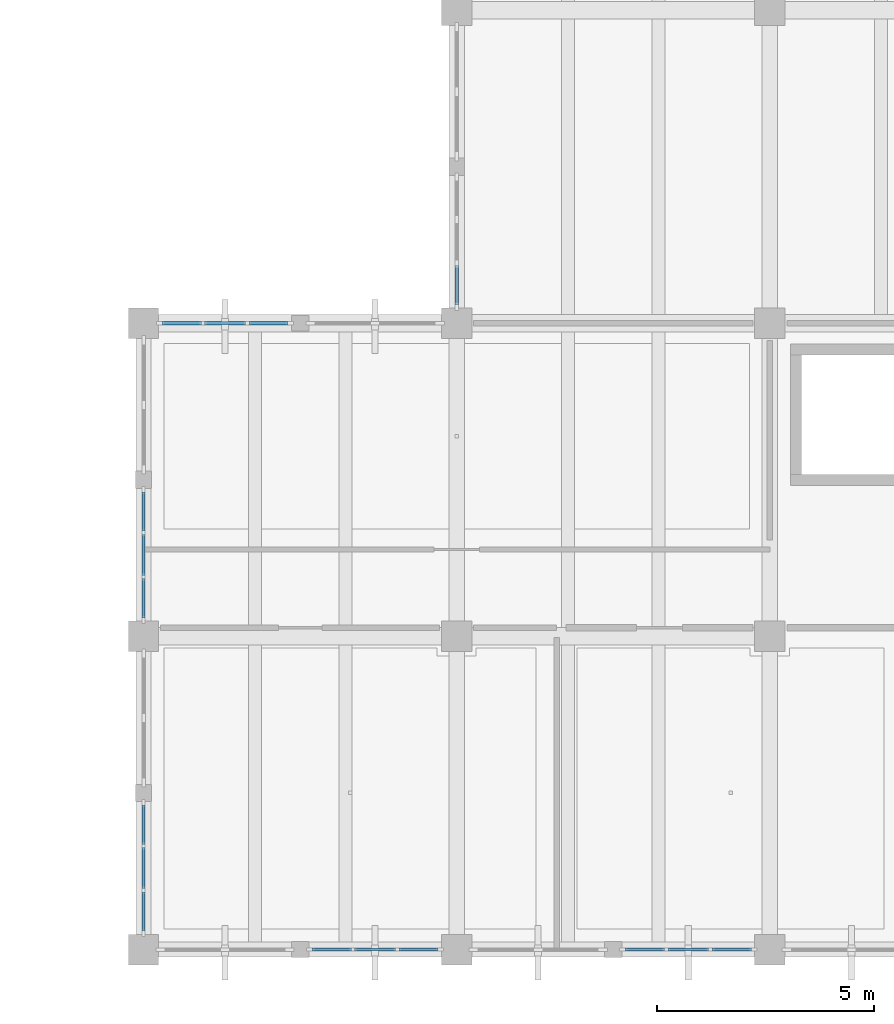
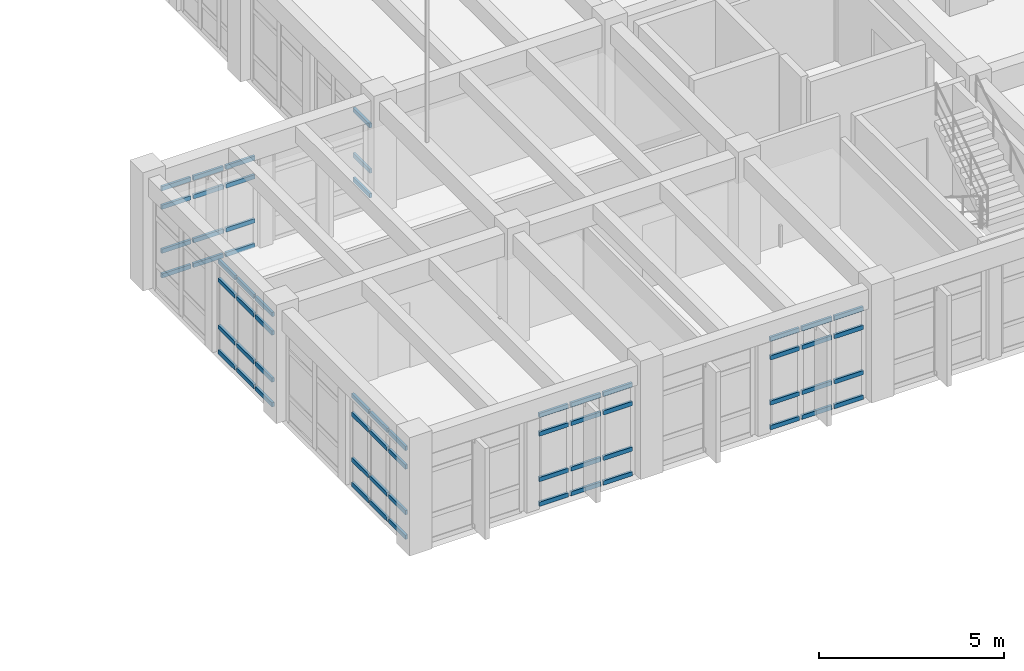
# One storey, part 18 of 54: 63 members, 6 elements without a shape of their own.
"""IFC4 building model written with IfcOpenShell, lengths in metres."""

from ifc_helpers import new_model, si_unit, direction, frame, origin, origin_2d, place, context, subcontext, project, spatial, rectangle, extrude, material, layer, layer_set, material_profile, profile_set, type_object, element, aggregate, save


model = new_model("IFC4")

# Units and contexts
model_context = context("Model", 3, precision=1e-05, world=origin(), true_north=direction((0.0, 1.0)))
body_context = subcontext(model_context, "Body", "Model", "MODEL_VIEW")
ifc_project = project(units=[si_unit("LENGTHUNIT", "METRE"), si_unit("AREAUNIT", "SQUARE_METRE"), si_unit("VOLUMEUNIT", "CUBIC_METRE"), si_unit("PLANEANGLEUNIT", "RADIAN"), si_unit("MASSUNIT", "GRAM", prefix="KILO")], contexts=[model_context])

# Site, building, storey
site_placement = place(None, origin())
site = spatial("IfcSite", under=ifc_project, at=site_placement, CompositionType="ELEMENT")
building_placement = place(site_placement, origin())
building = spatial("IfcBuilding", under=site, at=building_placement, Name="Koriwan Promenade Central Fire Station", CompositionType="ELEMENT")
storey_placement = place(building_placement, frame((0.0, 0.0, 9.60009765625)))
storey = spatial("IfcBuildingStorey", under=building, at=storey_placement, Name="L02", CompositionType="ELEMENT", Elevation=9.60009765625)

# Curtain wall, members
ifc_material_1 = material(Name="Aluminium EN AW-6063-T6 and low-E glazing", Category="aluminium")
ifc_layer_1 = layer(ifc_material_1, 0.159912109375, Name="Aluminium EN AW-6063-T6 and low-E glazing")
ifc_layer_set_1 = layer_set([ifc_layer_1], Name="Aluminium EN AW-6063-T6 and low-E glazing")
curtain_wall_type_1 = type_object("IfcCurtainWallType", Name="CurtainWall_73_305x299", PredefinedType="USERDEFINED", material=ifc_layer_set_1)
curtain_wall_1_placement = place(storey_placement, origin())
curtain_wall_1 = element("IfcCurtainWall", 1, at=curtain_wall_1_placement, inside=storey, type_object=curtain_wall_type_1, Name="V5 L02 unitised curtain wall 213", ObjectType="UNITISED CURTAIN WALL", PredefinedType="USERDEFINED")
ifc_material_2 = material(Name="Aluminium EN AW-6063-T6", Category="aluminium")
ifc_material_profile = material_profile(ifc_material_2, rectangle(XDim=0.074951171875, YDim=0.139892578125, at=origin_2d()), Name="ALU-TRN-75x140")
ifc_profile_set = profile_set([ifc_material_profile], Name="Aluminium EN AW-6063-T6")
member_type = type_object("IfcMemberType", Name="CWTransom_ALU-TRN-75x140", PredefinedType="USERDEFINED", material=ifc_profile_set)
member_1_placement = place(storey_placement, frame((157.97509765625, 0.0, 0.037353515625), z_axis=(-1.0, 0.0, 0.0), x_axis=(0.0, -1.0, 0.0)))
member_1 = element("IfcMember", 2, at=member_1_placement, type_object=member_type, Name="CW-73 transom 1.1", ObjectType="TRANSOM", PredefinedType="USERDEFINED", context=body_context, shape_type="SweptSolid", body=[
    extrude(rectangle(XDim=0.074951171875, YDim=0.139892578125, at=origin_2d()), origin(), (0.0, 0.0, 1.0), 0.904296875),
])
member_2_placement = place(storey_placement, frame((157.97509765625, 0.0, 0.849853515625), z_axis=(-1.0, 0.0, 0.0), x_axis=(0.0, -1.0, 0.0)))
member_2 = element("IfcMember", 3, at=member_2_placement, type_object=member_type, Name="CW-73 transom 1.2", ObjectType="TRANSOM", PredefinedType="USERDEFINED", context=body_context, shape_type="SweptSolid", body=[
    extrude(rectangle(XDim=0.074951171875, YDim=0.139892578125, at=origin_2d()), origin(), (0.0, 0.0, 1.0), 0.904296875),
])
member_3_placement = place(storey_placement, frame((157.97509765625, 0.0, 2.33984375), z_axis=(-1.0, 0.0, 0.0), x_axis=(0.0, -1.0, 0.0)))
member_3 = element("IfcMember", 4, at=member_3_placement, type_object=member_type, Name="CW-73 transom 1.3", ObjectType="TRANSOM", PredefinedType="USERDEFINED", context=body_context, shape_type="SweptSolid", body=[
    extrude(rectangle(XDim=0.074951171875, YDim=0.139892578125, at=origin_2d()), origin(), (0.0, 0.0, 1.0), 0.904296875),
])
member_4_placement = place(storey_placement, frame((157.97509765625, 0.0, 2.952392578125), z_axis=(-1.0, 0.0, 0.0), x_axis=(0.0, -1.0, 0.0)))
member_4 = element("IfcMember", 5, at=member_4_placement, type_object=member_type, Name="CW-73 transom 1.4", ObjectType="TRANSOM", PredefinedType="USERDEFINED", context=body_context, shape_type="SweptSolid", body=[
    extrude(rectangle(XDim=0.074951171875, YDim=0.139892578125, at=origin_2d()), origin(), (0.0, 0.0, 1.0), 0.904296875),
])
member_5_placement = place(storey_placement, frame((156.995849609375, 0.0, 0.037353515625), z_axis=(-1.0, 0.0, 0.0), x_axis=(0.0, -1.0, 0.0)))
member_5 = element("IfcMember", 6, at=member_5_placement, type_object=member_type, Name="CW-73 transom 2.1", ObjectType="TRANSOM", PredefinedType="USERDEFINED", context=body_context, shape_type="SweptSolid", body=[
    extrude(rectangle(XDim=0.074951171875, YDim=0.139892578125, at=origin_2d()), origin(), (0.0, 0.0, 1.0), 0.941650390625),
])
member_6_placement = place(storey_placement, frame((156.995849609375, 0.0, 0.849853515625), z_axis=(-1.0, 0.0, 0.0), x_axis=(0.0, -1.0, 0.0)))
member_6 = element("IfcMember", 7, at=member_6_placement, type_object=member_type, Name="CW-73 transom 2.2", ObjectType="TRANSOM", PredefinedType="USERDEFINED", context=body_context, shape_type="SweptSolid", body=[
    extrude(rectangle(XDim=0.074951171875, YDim=0.139892578125, at=origin_2d()), origin(), (0.0, 0.0, 1.0), 0.941650390625),
])
member_7_placement = place(storey_placement, frame((156.995849609375, 0.0, 2.33984375), z_axis=(-1.0, 0.0, 0.0), x_axis=(0.0, -1.0, 0.0)))
member_7 = element("IfcMember", 8, at=member_7_placement, type_object=member_type, Name="CW-73 transom 2.3", ObjectType="TRANSOM", PredefinedType="USERDEFINED", context=body_context, shape_type="SweptSolid", body=[
    extrude(rectangle(XDim=0.074951171875, YDim=0.139892578125, at=origin_2d()), origin(), (0.0, 0.0, 1.0), 0.941650390625),
])
member_8_placement = place(storey_placement, frame((156.995849609375, 0.0, 2.952392578125), z_axis=(-1.0, 0.0, 0.0), x_axis=(0.0, -1.0, 0.0)))
member_8 = element("IfcMember", 9, at=member_8_placement, type_object=member_type, Name="CW-73 transom 2.4", ObjectType="TRANSOM", PredefinedType="USERDEFINED", context=body_context, shape_type="SweptSolid", body=[
    extrude(rectangle(XDim=0.074951171875, YDim=0.139892578125, at=origin_2d()), origin(), (0.0, 0.0, 1.0), 0.941650390625),
])
member_9_placement = place(storey_placement, frame((155.979248046875, 0.0, 0.037353515625), z_axis=(-1.0, 0.0, 0.0), x_axis=(0.0, -1.0, 0.0)))
member_9 = element("IfcMember", 10, at=member_9_placement, type_object=member_type, Name="CW-73 transom 3.1", ObjectType="TRANSOM", PredefinedType="USERDEFINED", context=body_context, shape_type="SweptSolid", body=[
    extrude(rectangle(XDim=0.074951171875, YDim=0.139892578125, at=origin_2d()), origin(), (0.0, 0.0, 1.0), 0.904296875),
])
member_10_placement = place(storey_placement, frame((155.979248046875, 0.0, 0.849853515625), z_axis=(-1.0, 0.0, 0.0), x_axis=(0.0, -1.0, 0.0)))
member_10 = element("IfcMember", 11, at=member_10_placement, type_object=member_type, Name="CW-73 transom 3.2", ObjectType="TRANSOM", PredefinedType="USERDEFINED", context=body_context, shape_type="SweptSolid", body=[
    extrude(rectangle(XDim=0.074951171875, YDim=0.139892578125, at=origin_2d()), origin(), (0.0, 0.0, 1.0), 0.904296875),
])
member_11_placement = place(storey_placement, frame((155.979248046875, 0.0, 2.33984375), z_axis=(-1.0, 0.0, 0.0), x_axis=(0.0, -1.0, 0.0)))
member_11 = element("IfcMember", 12, at=member_11_placement, type_object=member_type, Name="CW-73 transom 3.3", ObjectType="TRANSOM", PredefinedType="USERDEFINED", context=body_context, shape_type="SweptSolid", body=[
    extrude(rectangle(XDim=0.074951171875, YDim=0.139892578125, at=origin_2d()), origin(), (0.0, 0.0, 1.0), 0.904296875),
])
member_12_placement = place(storey_placement, frame((155.979248046875, 0.0, 2.952392578125), z_axis=(-1.0, 0.0, 0.0), x_axis=(0.0, -1.0, 0.0)))
member_12 = element("IfcMember", 13, at=member_12_placement, type_object=member_type, Name="CW-73 transom 3.4", ObjectType="TRANSOM", PredefinedType="USERDEFINED", context=body_context, shape_type="SweptSolid", body=[
    extrude(rectangle(XDim=0.074951171875, YDim=0.139892578125, at=origin_2d()), origin(), (0.0, 0.0, 1.0), 0.904296875),
])
aggregate(curtain_wall_1, [member_1, member_2, member_3, member_4, member_5, member_6, member_7, member_8, member_9, member_10, member_11, member_12])

ifc_layer_2 = layer(ifc_material_1, 0.159912109375, Name="Aluminium EN AW-6063-T6 and low-E glazing")
ifc_layer_set_2 = layer_set([ifc_layer_2], Name="Aluminium EN AW-6063-T6 and low-E glazing")
curtain_wall_type_2 = type_object("IfcCurtainWallType", Name="CurtainWall_74_305x300", PredefinedType="USERDEFINED", material=ifc_layer_set_2)
curtain_wall_2_placement = place(storey_placement, origin())
curtain_wall_2 = element("IfcCurtainWall", 14, at=curtain_wall_2_placement, inside=storey, type_object=curtain_wall_type_2, Name="V5 L02 unitised curtain wall 215", ObjectType="UNITISED CURTAIN WALL", PredefinedType="USERDEFINED")
member_13_placement = place(storey_placement, frame((150.77490234375, 0.0, 0.037353515625), z_axis=(-1.0, 0.0, 0.0), x_axis=(0.0, -1.0, 0.0)))
member_13 = element("IfcMember", 15, at=member_13_placement, type_object=member_type, Name="CW-74 transom 1.1", ObjectType="TRANSOM", PredefinedType="USERDEFINED", context=body_context, shape_type="SweptSolid", body=[
    extrude(rectangle(XDim=0.074951171875, YDim=0.139892578125, at=origin_2d()), origin(), (0.0, 0.0, 1.0), 0.904052734375),
])
member_14_placement = place(storey_placement, frame((150.77490234375, 0.0, 0.849853515625), z_axis=(-1.0, 0.0, 0.0), x_axis=(0.0, -1.0, 0.0)))
member_14 = element("IfcMember", 16, at=member_14_placement, type_object=member_type, Name="CW-74 transom 1.2", ObjectType="TRANSOM", PredefinedType="USERDEFINED", context=body_context, shape_type="SweptSolid", body=[
    extrude(rectangle(XDim=0.074951171875, YDim=0.139892578125, at=origin_2d()), origin(), (0.0, 0.0, 1.0), 0.904052734375),
])
member_15_placement = place(storey_placement, frame((150.77490234375, 0.0, 2.349853515625), z_axis=(-1.0, 0.0, 0.0), x_axis=(0.0, -1.0, 0.0)))
member_15 = element("IfcMember", 17, at=member_15_placement, type_object=member_type, Name="CW-74 transom 1.3", ObjectType="TRANSOM", PredefinedType="USERDEFINED", context=body_context, shape_type="SweptSolid", body=[
    extrude(rectangle(XDim=0.074951171875, YDim=0.139892578125, at=origin_2d()), origin(), (0.0, 0.0, 1.0), 0.904052734375),
])
member_16_placement = place(storey_placement, frame((150.77490234375, 0.0, 2.96240234375), z_axis=(-1.0, 0.0, 0.0), x_axis=(0.0, -1.0, 0.0)))
member_16 = element("IfcMember", 18, at=member_16_placement, type_object=member_type, Name="CW-74 transom 1.4", ObjectType="TRANSOM", PredefinedType="USERDEFINED", context=body_context, shape_type="SweptSolid", body=[
    extrude(rectangle(XDim=0.074951171875, YDim=0.139892578125, at=origin_2d()), origin(), (0.0, 0.0, 1.0), 0.904052734375),
])
member_17_placement = place(storey_placement, frame((149.7958984375, 0.0, 0.037353515625), z_axis=(-1.0, 0.0, 0.0), x_axis=(0.0, -1.0, 0.0)))
member_17 = element("IfcMember", 19, at=member_17_placement, type_object=member_type, Name="CW-74 transom 2.1", ObjectType="TRANSOM", PredefinedType="USERDEFINED", context=body_context, shape_type="SweptSolid", body=[
    extrude(rectangle(XDim=0.074951171875, YDim=0.139892578125, at=origin_2d()), origin(), (0.0, 0.0, 1.0), 0.941650390625),
])
member_18_placement = place(storey_placement, frame((149.7958984375, 0.0, 0.849853515625), z_axis=(-1.0, 0.0, 0.0), x_axis=(0.0, -1.0, 0.0)))
member_18 = element("IfcMember", 20, at=member_18_placement, type_object=member_type, Name="CW-74 transom 2.2", ObjectType="TRANSOM", PredefinedType="USERDEFINED", context=body_context, shape_type="SweptSolid", body=[
    extrude(rectangle(XDim=0.074951171875, YDim=0.139892578125, at=origin_2d()), origin(), (0.0, 0.0, 1.0), 0.941650390625),
])
member_19_placement = place(storey_placement, frame((149.7958984375, 0.0, 2.349853515625), z_axis=(-1.0, 0.0, 0.0), x_axis=(0.0, -1.0, 0.0)))
member_19 = element("IfcMember", 21, at=member_19_placement, type_object=member_type, Name="CW-74 transom 2.3", ObjectType="TRANSOM", PredefinedType="USERDEFINED", context=body_context, shape_type="SweptSolid", body=[
    extrude(rectangle(XDim=0.074951171875, YDim=0.139892578125, at=origin_2d()), origin(), (0.0, 0.0, 1.0), 0.941650390625),
])
member_20_placement = place(storey_placement, frame((149.7958984375, 0.0, 2.96240234375), z_axis=(-1.0, 0.0, 0.0), x_axis=(0.0, -1.0, 0.0)))
member_20 = element("IfcMember", 22, at=member_20_placement, type_object=member_type, Name="CW-74 transom 2.4", ObjectType="TRANSOM", PredefinedType="USERDEFINED", context=body_context, shape_type="SweptSolid", body=[
    extrude(rectangle(XDim=0.074951171875, YDim=0.139892578125, at=origin_2d()), origin(), (0.0, 0.0, 1.0), 0.941650390625),
])
member_21_placement = place(storey_placement, frame((148.779052734375, 0.0, 0.037353515625), z_axis=(-1.0, 0.0, 0.0), x_axis=(0.0, -1.0, 0.0)))
member_21 = element("IfcMember", 23, at=member_21_placement, type_object=member_type, Name="CW-74 transom 3.1", ObjectType="TRANSOM", PredefinedType="USERDEFINED", context=body_context, shape_type="SweptSolid", body=[
    extrude(rectangle(XDim=0.074951171875, YDim=0.139892578125, at=origin_2d()), origin(), (0.0, 0.0, 1.0), 0.904052734375),
])
member_22_placement = place(storey_placement, frame((148.779052734375, 0.0, 0.849853515625), z_axis=(-1.0, 0.0, 0.0), x_axis=(0.0, -1.0, 0.0)))
member_22 = element("IfcMember", 24, at=member_22_placement, type_object=member_type, Name="CW-74 transom 3.2", ObjectType="TRANSOM", PredefinedType="USERDEFINED", context=body_context, shape_type="SweptSolid", body=[
    extrude(rectangle(XDim=0.074951171875, YDim=0.139892578125, at=origin_2d()), origin(), (0.0, 0.0, 1.0), 0.904052734375),
])
member_23_placement = place(storey_placement, frame((148.779052734375, 0.0, 2.349853515625), z_axis=(-1.0, 0.0, 0.0), x_axis=(0.0, -1.0, 0.0)))
member_23 = element("IfcMember", 25, at=member_23_placement, type_object=member_type, Name="CW-74 transom 3.3", ObjectType="TRANSOM", PredefinedType="USERDEFINED", context=body_context, shape_type="SweptSolid", body=[
    extrude(rectangle(XDim=0.074951171875, YDim=0.139892578125, at=origin_2d()), origin(), (0.0, 0.0, 1.0), 0.904052734375),
])
member_24_placement = place(storey_placement, frame((148.779052734375, 0.0, 2.96240234375), z_axis=(-1.0, 0.0, 0.0), x_axis=(0.0, -1.0, 0.0)))
member_24 = element("IfcMember", 26, at=member_24_placement, type_object=member_type, Name="CW-74 transom 3.4", ObjectType="TRANSOM", PredefinedType="USERDEFINED", context=body_context, shape_type="SweptSolid", body=[
    extrude(rectangle(XDim=0.074951171875, YDim=0.139892578125, at=origin_2d()), origin(), (0.0, 0.0, 1.0), 0.904052734375),
])
aggregate(curtain_wall_2, [member_13, member_14, member_15, member_16, member_17, member_18, member_19, member_20, member_21, member_22, member_23, member_24])

curtain_wall_3_placement = place(storey_placement, origin())
curtain_wall_3 = element("IfcCurtainWall", 27, at=curtain_wall_3_placement, inside=storey, type_object=curtain_wall_type_2, Name="V5 L02 unitised curtain wall 217", ObjectType="UNITISED CURTAIN WALL", PredefinedType="USERDEFINED")
member_25_placement = place(storey_placement, frame((144.0, 0.425048828125, 0.037353515625), z_axis=(0.0, 1.0, 0.0), x_axis=(-1.0, 0.0, 0.0)))
member_25 = element("IfcMember", 28, at=member_25_placement, type_object=member_type, Name="CW-74 transom 1.1", ObjectType="TRANSOM", PredefinedType="USERDEFINED", context=body_context, shape_type="SweptSolid", body=[
    extrude(rectangle(XDim=0.074951171875, YDim=0.139892578125, at=origin_2d()), origin(), (0.0, 0.0, 1.0), 0.904052734375),
])
member_26_placement = place(storey_placement, frame((144.0, 0.425048828125, 0.849853515625), z_axis=(0.0, 1.0, 0.0), x_axis=(-1.0, 0.0, 0.0)))
member_26 = element("IfcMember", 29, at=member_26_placement, type_object=member_type, Name="CW-74 transom 1.2", ObjectType="TRANSOM", PredefinedType="USERDEFINED", context=body_context, shape_type="SweptSolid", body=[
    extrude(rectangle(XDim=0.074951171875, YDim=0.139892578125, at=origin_2d()), origin(), (0.0, 0.0, 1.0), 0.904052734375),
])
member_27_placement = place(storey_placement, frame((144.0, 0.425048828125, 2.349853515625), z_axis=(0.0, 1.0, 0.0), x_axis=(-1.0, 0.0, 0.0)))
member_27 = element("IfcMember", 30, at=member_27_placement, type_object=member_type, Name="CW-74 transom 1.3", ObjectType="TRANSOM", PredefinedType="USERDEFINED", context=body_context, shape_type="SweptSolid", body=[
    extrude(rectangle(XDim=0.074951171875, YDim=0.139892578125, at=origin_2d()), origin(), (0.0, 0.0, 1.0), 0.904052734375),
])
member_28_placement = place(storey_placement, frame((144.0, 0.425048828125, 2.96240234375), z_axis=(0.0, 1.0, 0.0), x_axis=(-1.0, 0.0, 0.0)))
member_28 = element("IfcMember", 31, at=member_28_placement, type_object=member_type, Name="CW-74 transom 1.4", ObjectType="TRANSOM", PredefinedType="USERDEFINED", context=body_context, shape_type="SweptSolid", body=[
    extrude(rectangle(XDim=0.074951171875, YDim=0.139892578125, at=origin_2d()), origin(), (0.0, 0.0, 1.0), 0.904052734375),
])
member_29_placement = place(storey_placement, frame((144.0, 1.404052734375, 0.037353515625), z_axis=(0.0, 1.0, 0.0), x_axis=(-1.0, 0.0, 0.0)))
member_29 = element("IfcMember", 32, at=member_29_placement, type_object=member_type, Name="CW-74 transom 2.1", ObjectType="TRANSOM", PredefinedType="USERDEFINED", context=body_context, shape_type="SweptSolid", body=[
    extrude(rectangle(XDim=0.074951171875, YDim=0.139892578125, at=origin_2d()), origin(), (0.0, 0.0, 1.0), 0.94189453125),
])
member_30_placement = place(storey_placement, frame((144.0, 1.404052734375, 0.849853515625), z_axis=(0.0, 1.0, 0.0), x_axis=(-1.0, 0.0, 0.0)))
member_30 = element("IfcMember", 33, at=member_30_placement, type_object=member_type, Name="CW-74 transom 2.2", ObjectType="TRANSOM", PredefinedType="USERDEFINED", context=body_context, shape_type="SweptSolid", body=[
    extrude(rectangle(XDim=0.074951171875, YDim=0.139892578125, at=origin_2d()), origin(), (0.0, 0.0, 1.0), 0.94189453125),
])
member_31_placement = place(storey_placement, frame((144.0, 1.404052734375, 2.349853515625), z_axis=(0.0, 1.0, 0.0), x_axis=(-1.0, 0.0, 0.0)))
member_31 = element("IfcMember", 34, at=member_31_placement, type_object=member_type, Name="CW-74 transom 2.3", ObjectType="TRANSOM", PredefinedType="USERDEFINED", context=body_context, shape_type="SweptSolid", body=[
    extrude(rectangle(XDim=0.074951171875, YDim=0.139892578125, at=origin_2d()), origin(), (0.0, 0.0, 1.0), 0.94189453125),
])
member_32_placement = place(storey_placement, frame((144.0, 1.404052734375, 2.96240234375), z_axis=(0.0, 1.0, 0.0), x_axis=(-1.0, 0.0, 0.0)))
member_32 = element("IfcMember", 35, at=member_32_placement, type_object=member_type, Name="CW-74 transom 2.4", ObjectType="TRANSOM", PredefinedType="USERDEFINED", context=body_context, shape_type="SweptSolid", body=[
    extrude(rectangle(XDim=0.074951171875, YDim=0.139892578125, at=origin_2d()), origin(), (0.0, 0.0, 1.0), 0.94189453125),
])
member_33_placement = place(storey_placement, frame((144.0, 2.4208984375, 0.037353515625), z_axis=(0.0, 1.0, 0.0), x_axis=(-1.0, 0.0, 0.0)))
member_33 = element("IfcMember", 36, at=member_33_placement, type_object=member_type, Name="CW-74 transom 3.1", ObjectType="TRANSOM", PredefinedType="USERDEFINED", context=body_context, shape_type="SweptSolid", body=[
    extrude(rectangle(XDim=0.074951171875, YDim=0.139892578125, at=origin_2d()), origin(), (0.0, 0.0, 1.0), 0.904052734375),
])
member_34_placement = place(storey_placement, frame((144.0, 2.4208984375, 0.849853515625), z_axis=(0.0, 1.0, 0.0), x_axis=(-1.0, 0.0, 0.0)))
member_34 = element("IfcMember", 37, at=member_34_placement, type_object=member_type, Name="CW-74 transom 3.2", ObjectType="TRANSOM", PredefinedType="USERDEFINED", context=body_context, shape_type="SweptSolid", body=[
    extrude(rectangle(XDim=0.074951171875, YDim=0.139892578125, at=origin_2d()), origin(), (0.0, 0.0, 1.0), 0.904052734375),
])
member_35_placement = place(storey_placement, frame((144.0, 2.4208984375, 2.349853515625), z_axis=(0.0, 1.0, 0.0), x_axis=(-1.0, 0.0, 0.0)))
member_35 = element("IfcMember", 38, at=member_35_placement, type_object=member_type, Name="CW-74 transom 3.3", ObjectType="TRANSOM", PredefinedType="USERDEFINED", context=body_context, shape_type="SweptSolid", body=[
    extrude(rectangle(XDim=0.074951171875, YDim=0.139892578125, at=origin_2d()), origin(), (0.0, 0.0, 1.0), 0.904052734375),
])
member_36_placement = place(storey_placement, frame((144.0, 2.4208984375, 2.96240234375), z_axis=(0.0, 1.0, 0.0), x_axis=(-1.0, 0.0, 0.0)))
member_36 = element("IfcMember", 39, at=member_36_placement, type_object=member_type, Name="CW-74 transom 3.4", ObjectType="TRANSOM", PredefinedType="USERDEFINED", context=body_context, shape_type="SweptSolid", body=[
    extrude(rectangle(XDim=0.074951171875, YDim=0.139892578125, at=origin_2d()), origin(), (0.0, 0.0, 1.0), 0.904052734375),
])
aggregate(curtain_wall_3, [member_25, member_26, member_27, member_28, member_29, member_30, member_31, member_32, member_33, member_34, member_35, member_36])

ifc_layer_3 = layer(ifc_material_1, 0.159912109375, Name="Aluminium EN AW-6063-T6 and low-E glazing")
ifc_layer_set_3 = layer_set([ifc_layer_3], Name="Aluminium EN AW-6063-T6 and low-E glazing")
curtain_wall_type_3 = type_object("IfcCurtainWallType", Name="CurtainWall_76_305x305", PredefinedType="USERDEFINED", material=ifc_layer_set_3)
curtain_wall_4_placement = place(storey_placement, origin())
curtain_wall_4 = element("IfcCurtainWall", 40, at=curtain_wall_4_placement, inside=storey, type_object=curtain_wall_type_3, Name="V5 L02 unitised curtain wall 219", ObjectType="UNITISED CURTAIN WALL", PredefinedType="USERDEFINED")
member_37_placement = place(storey_placement, frame((144.0, 7.625, 0.037353515625), z_axis=(0.0, 1.0, 0.0), x_axis=(-1.0, 0.0, 0.0)))
member_37 = element("IfcMember", 41, at=member_37_placement, type_object=member_type, Name="CW-76 transom 1.1", ObjectType="TRANSOM", PredefinedType="USERDEFINED", context=body_context, shape_type="SweptSolid", body=[
    extrude(rectangle(XDim=0.074951171875, YDim=0.139892578125, at=origin_2d()), origin(), (0.0, 0.0, 1.0), 0.904052734375),
])
member_38_placement = place(storey_placement, frame((144.0, 7.625, 0.849853515625), z_axis=(0.0, 1.0, 0.0), x_axis=(-1.0, 0.0, 0.0)))
member_38 = element("IfcMember", 42, at=member_38_placement, type_object=member_type, Name="CW-76 transom 1.2", ObjectType="TRANSOM", PredefinedType="USERDEFINED", context=body_context, shape_type="SweptSolid", body=[
    extrude(rectangle(XDim=0.074951171875, YDim=0.139892578125, at=origin_2d()), origin(), (0.0, 0.0, 1.0), 0.904052734375),
])
member_39_placement = place(storey_placement, frame((144.0, 7.625, 2.39990234375), z_axis=(0.0, 1.0, 0.0), x_axis=(-1.0, 0.0, 0.0)))
member_39 = element("IfcMember", 43, at=member_39_placement, type_object=member_type, Name="CW-76 transom 1.3", ObjectType="TRANSOM", PredefinedType="USERDEFINED", context=body_context, shape_type="SweptSolid", body=[
    extrude(rectangle(XDim=0.074951171875, YDim=0.139892578125, at=origin_2d()), origin(), (0.0, 0.0, 1.0), 0.904052734375),
])
member_40_placement = place(storey_placement, frame((144.0, 7.625, 3.012451171875), z_axis=(0.0, 1.0, 0.0), x_axis=(-1.0, 0.0, 0.0)))
member_40 = element("IfcMember", 44, at=member_40_placement, type_object=member_type, Name="CW-76 transom 1.4", ObjectType="TRANSOM", PredefinedType="USERDEFINED", context=body_context, shape_type="SweptSolid", body=[
    extrude(rectangle(XDim=0.074951171875, YDim=0.139892578125, at=origin_2d()), origin(), (0.0, 0.0, 1.0), 0.904052734375),
])
member_41_placement = place(storey_placement, frame((144.0, 8.604248046875, 0.037353515625), z_axis=(0.0, 1.0, 0.0), x_axis=(-1.0, 0.0, 0.0)))
member_41 = element("IfcMember", 45, at=member_41_placement, type_object=member_type, Name="CW-76 transom 2.1", ObjectType="TRANSOM", PredefinedType="USERDEFINED", context=body_context, shape_type="SweptSolid", body=[
    extrude(rectangle(XDim=0.074951171875, YDim=0.139892578125, at=origin_2d()), origin(), (0.0, 0.0, 1.0), 0.941650390625),
])
member_42_placement = place(storey_placement, frame((144.0, 8.604248046875, 0.849853515625), z_axis=(0.0, 1.0, 0.0), x_axis=(-1.0, 0.0, 0.0)))
member_42 = element("IfcMember", 46, at=member_42_placement, type_object=member_type, Name="CW-76 transom 2.2", ObjectType="TRANSOM", PredefinedType="USERDEFINED", context=body_context, shape_type="SweptSolid", body=[
    extrude(rectangle(XDim=0.074951171875, YDim=0.139892578125, at=origin_2d()), origin(), (0.0, 0.0, 1.0), 0.941650390625),
])
member_43_placement = place(storey_placement, frame((144.0, 8.604248046875, 2.39990234375), z_axis=(0.0, 1.0, 0.0), x_axis=(-1.0, 0.0, 0.0)))
member_43 = element("IfcMember", 47, at=member_43_placement, type_object=member_type, Name="CW-76 transom 2.3", ObjectType="TRANSOM", PredefinedType="USERDEFINED", context=body_context, shape_type="SweptSolid", body=[
    extrude(rectangle(XDim=0.074951171875, YDim=0.139892578125, at=origin_2d()), origin(), (0.0, 0.0, 1.0), 0.941650390625),
])
member_44_placement = place(storey_placement, frame((144.0, 8.604248046875, 3.012451171875), z_axis=(0.0, 1.0, 0.0), x_axis=(-1.0, 0.0, 0.0)))
member_44 = element("IfcMember", 48, at=member_44_placement, type_object=member_type, Name="CW-76 transom 2.4", ObjectType="TRANSOM", PredefinedType="USERDEFINED", context=body_context, shape_type="SweptSolid", body=[
    extrude(rectangle(XDim=0.074951171875, YDim=0.139892578125, at=origin_2d()), origin(), (0.0, 0.0, 1.0), 0.941650390625),
])
member_45_placement = place(storey_placement, frame((144.0, 9.620849609375, 0.037353515625), z_axis=(0.0, 1.0, 0.0), x_axis=(-1.0, 0.0, 0.0)))
member_45 = element("IfcMember", 49, at=member_45_placement, type_object=member_type, Name="CW-76 transom 3.1", ObjectType="TRANSOM", PredefinedType="USERDEFINED", context=body_context, shape_type="SweptSolid", body=[
    extrude(rectangle(XDim=0.074951171875, YDim=0.139892578125, at=origin_2d()), origin(), (0.0, 0.0, 1.0), 0.904052734375),
])
member_46_placement = place(storey_placement, frame((144.0, 9.620849609375, 0.849853515625), z_axis=(0.0, 1.0, 0.0), x_axis=(-1.0, 0.0, 0.0)))
member_46 = element("IfcMember", 50, at=member_46_placement, type_object=member_type, Name="CW-76 transom 3.2", ObjectType="TRANSOM", PredefinedType="USERDEFINED", context=body_context, shape_type="SweptSolid", body=[
    extrude(rectangle(XDim=0.074951171875, YDim=0.139892578125, at=origin_2d()), origin(), (0.0, 0.0, 1.0), 0.904052734375),
])
member_47_placement = place(storey_placement, frame((144.0, 9.620849609375, 2.39990234375), z_axis=(0.0, 1.0, 0.0), x_axis=(-1.0, 0.0, 0.0)))
member_47 = element("IfcMember", 51, at=member_47_placement, type_object=member_type, Name="CW-76 transom 3.3", ObjectType="TRANSOM", PredefinedType="USERDEFINED", context=body_context, shape_type="SweptSolid", body=[
    extrude(rectangle(XDim=0.074951171875, YDim=0.139892578125, at=origin_2d()), origin(), (0.0, 0.0, 1.0), 0.904052734375),
])
member_48_placement = place(storey_placement, frame((144.0, 9.620849609375, 3.012451171875), z_axis=(0.0, 1.0, 0.0), x_axis=(-1.0, 0.0, 0.0)))
member_48 = element("IfcMember", 52, at=member_48_placement, type_object=member_type, Name="CW-76 transom 3.4", ObjectType="TRANSOM", PredefinedType="USERDEFINED", context=body_context, shape_type="SweptSolid", body=[
    extrude(rectangle(XDim=0.074951171875, YDim=0.139892578125, at=origin_2d()), origin(), (0.0, 0.0, 1.0), 0.904052734375),
])
aggregate(curtain_wall_4, [member_37, member_38, member_39, member_40, member_41, member_42, member_43, member_44, member_45, member_46, member_47, member_48])

ifc_layer_4 = layer(ifc_material_1, 0.159912109375, Name="Aluminium EN AW-6063-T6 and low-E glazing")
ifc_layer_set_4 = layer_set([ifc_layer_4], Name="Aluminium EN AW-6063-T6 and low-E glazing")
curtain_wall_type_4 = type_object("IfcCurtainWallType", Name="CurtainWall_78_305x295", PredefinedType="USERDEFINED", material=ifc_layer_set_4)
curtain_wall_5_placement = place(storey_placement, origin())
curtain_wall_5 = element("IfcCurtainWall", 53, at=curtain_wall_5_placement, inside=storey, type_object=curtain_wall_type_4, Name="V5 L02 unitised curtain wall 221", ObjectType="UNITISED CURTAIN WALL", PredefinedType="USERDEFINED")
member_49_placement = place(storey_placement, frame((144.425048828125, 14.39990234375, 0.037353515625), z_axis=(1.0, 0.0, 0.0), x_axis=(0.0, 1.0, 0.0)))
member_49 = element("IfcMember", 54, at=member_49_placement, type_object=member_type, Name="CW-78 transom 1.1", ObjectType="TRANSOM", PredefinedType="USERDEFINED", context=body_context, shape_type="SweptSolid", body=[
    extrude(rectangle(XDim=0.074951171875, YDim=0.139892578125, at=origin_2d()), origin(), (0.0, 0.0, 1.0), 0.904052734375),
])
member_50_placement = place(storey_placement, frame((144.425048828125, 14.39990234375, 0.849853515625), z_axis=(1.0, 0.0, 0.0), x_axis=(0.0, 1.0, 0.0)))
member_50 = element("IfcMember", 55, at=member_50_placement, type_object=member_type, Name="CW-78 transom 1.2", ObjectType="TRANSOM", PredefinedType="USERDEFINED", context=body_context, shape_type="SweptSolid", body=[
    extrude(rectangle(XDim=0.074951171875, YDim=0.139892578125, at=origin_2d()), origin(), (0.0, 0.0, 1.0), 0.904052734375),
])
member_51_placement = place(storey_placement, frame((144.425048828125, 14.39990234375, 2.2998046875), z_axis=(1.0, 0.0, 0.0), x_axis=(0.0, 1.0, 0.0)))
member_51 = element("IfcMember", 56, at=member_51_placement, type_object=member_type, Name="CW-78 transom 1.3", ObjectType="TRANSOM", PredefinedType="USERDEFINED", context=body_context, shape_type="SweptSolid", body=[
    extrude(rectangle(XDim=0.074951171875, YDim=0.139892578125, at=origin_2d()), origin(), (0.0, 0.0, 1.0), 0.904052734375),
])
member_52_placement = place(storey_placement, frame((144.425048828125, 14.39990234375, 2.912353515625), z_axis=(1.0, 0.0, 0.0), x_axis=(0.0, 1.0, 0.0)))
member_52 = element("IfcMember", 57, at=member_52_placement, type_object=member_type, Name="CW-78 transom 1.4", ObjectType="TRANSOM", PredefinedType="USERDEFINED", context=body_context, shape_type="SweptSolid", body=[
    extrude(rectangle(XDim=0.074951171875, YDim=0.139892578125, at=origin_2d()), origin(), (0.0, 0.0, 1.0), 0.904052734375),
])
member_53_placement = place(storey_placement, frame((145.404052734375, 14.39990234375, 0.037353515625), z_axis=(1.0, 0.0, 0.0), x_axis=(0.0, 1.0, 0.0)))
member_53 = element("IfcMember", 58, at=member_53_placement, type_object=member_type, Name="CW-78 transom 2.1", ObjectType="TRANSOM", PredefinedType="USERDEFINED", context=body_context, shape_type="SweptSolid", body=[
    extrude(rectangle(XDim=0.074951171875, YDim=0.139892578125, at=origin_2d()), origin(), (0.0, 0.0, 1.0), 0.94189453125),
])
member_54_placement = place(storey_placement, frame((145.404052734375, 14.39990234375, 0.849853515625), z_axis=(1.0, 0.0, 0.0), x_axis=(0.0, 1.0, 0.0)))
member_54 = element("IfcMember", 59, at=member_54_placement, type_object=member_type, Name="CW-78 transom 2.2", ObjectType="TRANSOM", PredefinedType="USERDEFINED", context=body_context, shape_type="SweptSolid", body=[
    extrude(rectangle(XDim=0.074951171875, YDim=0.139892578125, at=origin_2d()), origin(), (0.0, 0.0, 1.0), 0.94189453125),
])
member_55_placement = place(storey_placement, frame((145.404052734375, 14.39990234375, 2.2998046875), z_axis=(1.0, 0.0, 0.0), x_axis=(0.0, 1.0, 0.0)))
member_55 = element("IfcMember", 60, at=member_55_placement, type_object=member_type, Name="CW-78 transom 2.3", ObjectType="TRANSOM", PredefinedType="USERDEFINED", context=body_context, shape_type="SweptSolid", body=[
    extrude(rectangle(XDim=0.074951171875, YDim=0.139892578125, at=origin_2d()), origin(), (0.0, 0.0, 1.0), 0.94189453125),
])
member_56_placement = place(storey_placement, frame((145.404052734375, 14.39990234375, 2.912353515625), z_axis=(1.0, 0.0, 0.0), x_axis=(0.0, 1.0, 0.0)))
member_56 = element("IfcMember", 61, at=member_56_placement, type_object=member_type, Name="CW-78 transom 2.4", ObjectType="TRANSOM", PredefinedType="USERDEFINED", context=body_context, shape_type="SweptSolid", body=[
    extrude(rectangle(XDim=0.074951171875, YDim=0.139892578125, at=origin_2d()), origin(), (0.0, 0.0, 1.0), 0.94189453125),
])
member_57_placement = place(storey_placement, frame((146.4208984375, 14.39990234375, 0.037353515625), z_axis=(1.0, 0.0, 0.0), x_axis=(0.0, 1.0, 0.0)))
member_57 = element("IfcMember", 62, at=member_57_placement, type_object=member_type, Name="CW-78 transom 3.1", ObjectType="TRANSOM", PredefinedType="USERDEFINED", context=body_context, shape_type="SweptSolid", body=[
    extrude(rectangle(XDim=0.074951171875, YDim=0.139892578125, at=origin_2d()), origin(), (0.0, 0.0, 1.0), 0.904052734375),
])
member_58_placement = place(storey_placement, frame((146.4208984375, 14.39990234375, 0.849853515625), z_axis=(1.0, 0.0, 0.0), x_axis=(0.0, 1.0, 0.0)))
member_58 = element("IfcMember", 63, at=member_58_placement, type_object=member_type, Name="CW-78 transom 3.2", ObjectType="TRANSOM", PredefinedType="USERDEFINED", context=body_context, shape_type="SweptSolid", body=[
    extrude(rectangle(XDim=0.074951171875, YDim=0.139892578125, at=origin_2d()), origin(), (0.0, 0.0, 1.0), 0.904052734375),
])
member_59_placement = place(storey_placement, frame((146.4208984375, 14.39990234375, 2.2998046875), z_axis=(1.0, 0.0, 0.0), x_axis=(0.0, 1.0, 0.0)))
member_59 = element("IfcMember", 64, at=member_59_placement, type_object=member_type, Name="CW-78 transom 3.3", ObjectType="TRANSOM", PredefinedType="USERDEFINED", context=body_context, shape_type="SweptSolid", body=[
    extrude(rectangle(XDim=0.074951171875, YDim=0.139892578125, at=origin_2d()), origin(), (0.0, 0.0, 1.0), 0.904052734375),
])
member_60_placement = place(storey_placement, frame((146.4208984375, 14.39990234375, 2.912353515625), z_axis=(1.0, 0.0, 0.0), x_axis=(0.0, 1.0, 0.0)))
member_60 = element("IfcMember", 65, at=member_60_placement, type_object=member_type, Name="CW-78 transom 3.4", ObjectType="TRANSOM", PredefinedType="USERDEFINED", context=body_context, shape_type="SweptSolid", body=[
    extrude(rectangle(XDim=0.074951171875, YDim=0.139892578125, at=origin_2d()), origin(), (0.0, 0.0, 1.0), 0.904052734375),
])
aggregate(curtain_wall_5, [member_49, member_50, member_51, member_52, member_53, member_54, member_55, member_56, member_57, member_58, member_59, member_60])

curtain_wall_6_placement = place(storey_placement, origin())
curtain_wall_6 = element("IfcCurtainWall", 66, at=curtain_wall_6_placement, inside=storey, type_object=curtain_wall_type_1, Name="V5 L02 unitised curtain wall 223", ObjectType="UNITISED CURTAIN WALL", PredefinedType="USERDEFINED")
member_61_placement = place(storey_placement, frame((151.199951171875, 14.824951171875, 0.037353515625), z_axis=(0.0, 1.0, 0.0), x_axis=(-1.0, 0.0, 0.0)))
member_61 = element("IfcMember", 67, at=member_61_placement, type_object=member_type, Name="CW-73 transom 1.1", ObjectType="TRANSOM", PredefinedType="USERDEFINED", context=body_context, shape_type="SweptSolid", body=[
    extrude(rectangle(XDim=0.074951171875, YDim=0.139892578125, at=origin_2d()), origin(), (0.0, 0.0, 1.0), 0.904296875),
])
member_62_placement = place(storey_placement, frame((151.199951171875, 14.824951171875, 0.849853515625), z_axis=(0.0, 1.0, 0.0), x_axis=(-1.0, 0.0, 0.0)))
member_62 = element("IfcMember", 68, at=member_62_placement, type_object=member_type, Name="CW-73 transom 1.2", ObjectType="TRANSOM", PredefinedType="USERDEFINED", context=body_context, shape_type="SweptSolid", body=[
    extrude(rectangle(XDim=0.074951171875, YDim=0.139892578125, at=origin_2d()), origin(), (0.0, 0.0, 1.0), 0.904296875),
])
member_63_placement = place(storey_placement, frame((151.199951171875, 14.824951171875, 2.33984375), z_axis=(0.0, 1.0, 0.0), x_axis=(-1.0, 0.0, 0.0)))
member_63 = element("IfcMember", 69, at=member_63_placement, type_object=member_type, Name="CW-73 transom 1.3", ObjectType="TRANSOM", PredefinedType="USERDEFINED", context=body_context, shape_type="SweptSolid", body=[
    extrude(rectangle(XDim=0.074951171875, YDim=0.139892578125, at=origin_2d()), origin(), (0.0, 0.0, 1.0), 0.904296875),
])
aggregate(curtain_wall_6, [member_61, member_62, member_63])

save(model, "model.ifc")
